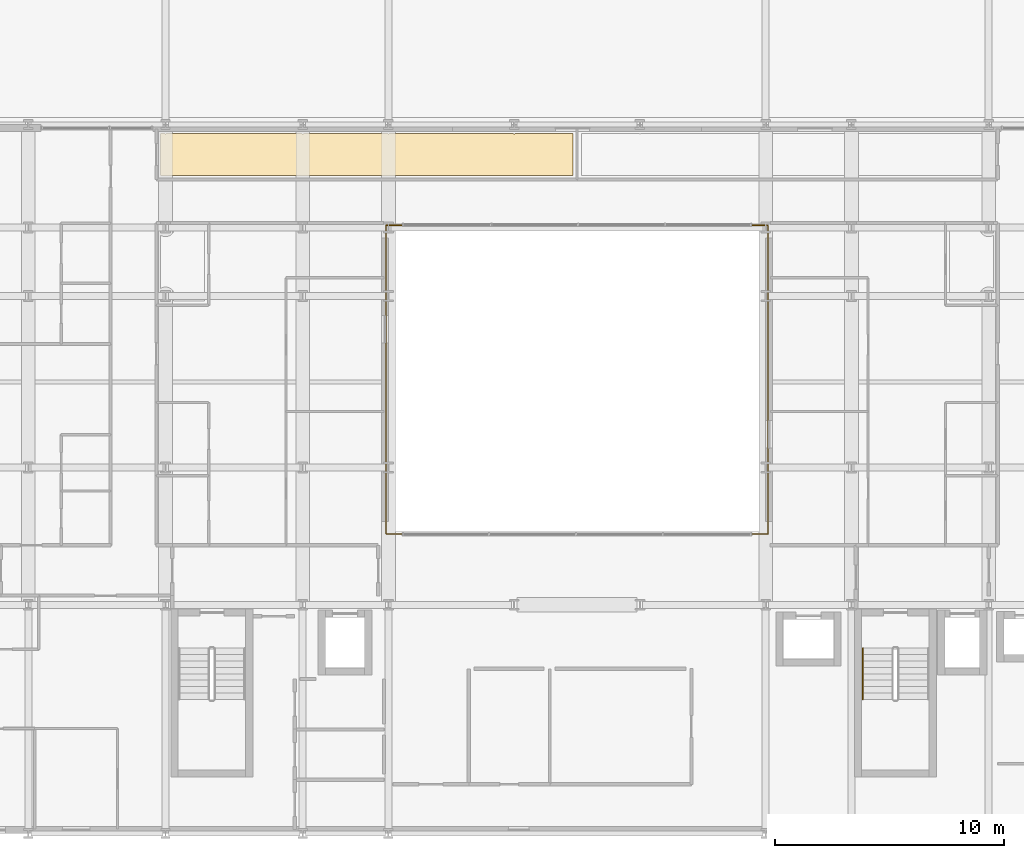
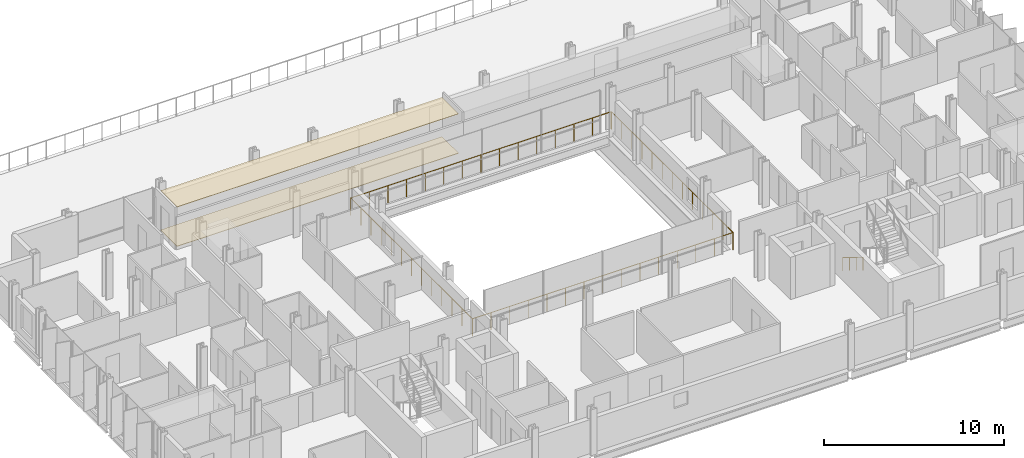
# One storey, part 36 of 38: 3 railings, 2 coverings.
"""IFC4 building model written with IfcOpenShell, lengths in metres."""

from ifc_helpers import new_model, si_unit, direction, frame, origin, origin_2d, place, context, subcontext, project, spatial, polyline, circle, outline, extrude, material, layer, layer_set, type_object, element, save


model = new_model("IFC4")

# Units and contexts
model_context = context("Model", 3, precision=1e-05, world=origin(), true_north=direction((0.0, 1.0)))
body_context = subcontext(model_context, "Body", "Model", "MODEL_VIEW")
ifc_project = project(units=[si_unit("LENGTHUNIT", "METRE"), si_unit("AREAUNIT", "SQUARE_METRE"), si_unit("VOLUMEUNIT", "CUBIC_METRE"), si_unit("PLANEANGLEUNIT", "RADIAN"), si_unit("MASSUNIT", "GRAM", prefix="KILO")], contexts=[model_context])

# Site, building, storey
site_placement = place(None, origin())
site = spatial("IfcSite", under=ifc_project, at=site_placement, CompositionType="ELEMENT")
building_placement = place(site_placement, origin())
building = spatial("IfcBuilding", under=site, at=building_placement, Name="Brevholm Reach", CompositionType="ELEMENT")
storey_placement = place(building_placement, frame((0.0, 0.0, 28.0)))
storey = spatial("IfcBuildingStorey", under=building, at=storey_placement, Name="L06", CompositionType="ELEMENT", Elevation=28.0)

# Coverings
ifc_material_1 = material(Name="Moisture-Resistant Skimmed Gypsum Plasterboard Ceiling", Category="gypsum")
ifc_layer_1 = layer(ifc_material_1, 0.030029296875)
ifc_layer_set_1 = layer_set([ifc_layer_1], Name="Moisture-Resistant Skimmed Gypsum Plasterboard Ceiling")
covering_type_1 = type_object("IfcCoveringType", Name="COV-CLG-GYP", PredefinedType="CEILING", material=ifc_layer_set_1)
covering_1_placement = place(storey_placement, frame((0.0, 0.0, 2.669921875)))
element("IfcCovering", 1, at=covering_1_placement, inside=storey, type_object=covering_type_1, Name="L06 Suspended Ceiling L06-71", PredefinedType="CEILING", context=body_context, shape_type="SweptSolid", body=[
    extrude(outline(polyline([(11.876220703125, 30.6201171875), (11.8837890625, 30.6171875), (11.922119140625, 30.607666015625), (11.960693359375, 30.601806640625), (12.0, 30.60009765625), (12.039306640625, 30.601806640625), (12.077880859375, 30.607666015625), (12.1162109375, 30.6171875), (12.123779296875, 30.6201171875), (17.876220703125, 30.6201171875), (17.8837890625, 30.6171875), (17.922119140625, 30.607666015625), (17.960693359375, 30.601806640625), (18.0, 30.60009765625), (18.039306640625, 30.601806640625), (18.077880859375, 30.607666015625), (18.1162109375, 30.6171875), (18.123779296875, 30.6201171875), (21.626220703125, 30.6201171875), (21.6337890625, 30.6171875), (21.672119140625, 30.607666015625), (21.710693359375, 30.601806640625), (21.75, 30.60009765625), (21.789306640625, 30.601806640625), (21.827880859375, 30.607666015625), (21.8662109375, 30.6171875), (21.873779296875, 30.6201171875), (27.126220703125, 30.6201171875), (27.1337890625, 30.6171875), (27.172119140625, 30.607666015625), (27.210693359375, 30.601806640625), (27.25, 30.60009765625), (27.289306640625, 30.601806640625), (27.327880859375, 30.607666015625), (27.3662109375, 30.6171875), (27.373779296875, 30.6201171875), (29.820068359375, 30.6201171875), (29.820068359375, 28.783935546875), (11.783935546875, 28.783935546875), (11.783935546875, 30.6201171875), (11.876220703125, 30.6201171875)])), origin(), (0.0, 0.0, 1.0), 0.030029296875),
])
ifc_material_2 = material(Name="Honed Portland-Aggregate Resin Terrazzo Flooring", Category="concrete")
ifc_layer_2 = layer(ifc_material_2, 0.031982421875)
ifc_layer_set_2 = layer_set([ifc_layer_2], Name="Honed Portland-Aggregate Resin Terrazzo Flooring")
covering_type_2 = type_object("IfcCoveringType", Name="COV-FLR-TRZ", PredefinedType="FLOORING", material=ifc_layer_set_2)
covering_2_placement = place(storey_placement, origin())
element("IfcCovering", 2, at=covering_2_placement, inside=storey, type_object=covering_type_2, Name="L06 Floor Finish L06-71", PredefinedType="FLOORING", context=body_context, shape_type="SweptSolid", body=[
    extrude(outline(polyline([(11.876220703125, 30.6201171875), (11.8837890625, 30.6171875), (11.922119140625, 30.607666015625), (11.960693359375, 30.601806640625), (12.0, 30.60009765625), (12.039306640625, 30.601806640625), (12.077880859375, 30.607666015625), (12.1162109375, 30.6171875), (12.123779296875, 30.6201171875), (17.876220703125, 30.6201171875), (17.8837890625, 30.6171875), (17.922119140625, 30.607666015625), (17.960693359375, 30.601806640625), (18.0, 30.60009765625), (18.039306640625, 30.601806640625), (18.077880859375, 30.607666015625), (18.1162109375, 30.6171875), (18.123779296875, 30.6201171875), (21.626220703125, 30.6201171875), (21.6337890625, 30.6171875), (21.672119140625, 30.607666015625), (21.710693359375, 30.601806640625), (21.75, 30.60009765625), (21.789306640625, 30.601806640625), (21.827880859375, 30.607666015625), (21.8662109375, 30.6171875), (21.873779296875, 30.6201171875), (27.126220703125, 30.6201171875), (27.1337890625, 30.6171875), (27.172119140625, 30.607666015625), (27.210693359375, 30.601806640625), (27.25, 30.60009765625), (27.289306640625, 30.601806640625), (27.327880859375, 30.607666015625), (27.3662109375, 30.6171875), (27.373779296875, 30.6201171875), (29.820068359375, 30.6201171875), (29.820068359375, 28.783935546875), (11.783935546875, 28.783935546875), (11.783935546875, 30.6201171875), (11.876220703125, 30.6201171875)])), origin(), (0.0, 0.0, 1.0), 0.031982421875),
])

# Railings
ifc_material_3 = material(Name="Brushed Stainless Steel EN 1.4401 Continuous Handrail", Category="steel")
railing_type_1 = type_object("IfcRailingType", Name="RAL-HND-950", PredefinedType="HANDRAIL", material=ifc_material_3)
railing_1_placement = place(storey_placement, frame((42.5, 8.10009765625, 0.172119140625)))
element("IfcRailing", 3, at=railing_1_placement, inside=storey, type_object=railing_type_1, Name="L06 ST-2 stair handrail 1", PredefinedType="HANDRAIL", context=body_context, shape_type="SweptSolid", body=[
    extrude(circle(Radius=0.02392578125, at=origin_2d()), frame((0.0, 0.0, 0.8857421875), z_axis=(0.0, -0.851747552033, 0.523952390591), x_axis=(1.0, 0.0, 0.0)), (0.0, 0.0, 1.0), 2.6298828125),
    extrude(circle(Radius=0.02099609375, at=origin_2d()), origin(), (0.0, 0.0, 1.0), 0.86181640625),
    extrude(circle(Radius=0.02099609375, at=origin_2d()), frame((0.0, -0.74658203125, 0.459228515625)), (0.0, 0.0, 1.0), 0.86181640625),
    extrude(circle(Radius=0.02099609375, at=origin_2d()), frame((0.0, -1.493408203125, 0.918701171875)), (0.0, 0.0, 1.0), 0.86181640625),
    extrude(circle(Radius=0.02099609375, at=origin_2d()), frame((0.0, -2.239990234375, 1.3779296875)), (0.0, 0.0, 1.0), 0.86181640625),
])
ifc_material_4 = material(Name="Brushed Stainless Steel EN 1.4401 and Laminated Glass", Category="steel")
railing_type_2 = type_object("IfcRailingType", Name="RAL-TERR-1200", PredefinedType="BALUSTRADE", material=ifc_material_4)
railing_2_placement = place(storey_placement, frame((21.64990234375, 13.10009765625, 0.0)))
element("IfcRailing", 4, at=railing_2_placement, inside=storey, type_object=railing_type_2, Name="L06 Guard Balustrade RAL-L06-AT-VOID-SW", PredefinedType="BALUSTRADE", context=body_context, shape_type="SweptSolid", body=[
    extrude(circle(Radius=0.02392578125, at=origin_2d()), frame((0.0, 0.0, 1.17578125), z_axis=(1.0, 0.0, 0.0), x_axis=(0.0, 1.0, 0.0)), (0.0, 0.0, 1.0), 16.7001953125),
    extrude(circle(Radius=0.02392578125, at=origin_2d()), frame((16.7001953125, 0.0, 1.17578125), z_axis=(0.0, 1.0, 0.0), x_axis=(-1.0, 0.0, 0.0)), (0.0, 0.0, 1.0), 13.47998046875),
    extrude(circle(Radius=0.02099609375, at=origin_2d()), origin(), (0.0, 0.0, 1.0), 1.15185546875),
    extrude(circle(Radius=0.02099609375, at=origin_2d()), frame((1.19287109375, 0.0, 0.0)), (0.0, 0.0, 1.0), 1.15185546875),
    extrude(circle(Radius=0.02099609375, at=origin_2d()), frame((2.3857421875, 0.0, 0.0)), (0.0, 0.0, 1.0), 1.15185546875),
    extrude(circle(Radius=0.02099609375, at=origin_2d()), frame((3.57861328125, 0.0, 0.0)), (0.0, 0.0, 1.0), 1.15185546875),
    extrude(circle(Radius=0.02099609375, at=origin_2d()), frame((4.771484375, 0.0, 0.0)), (0.0, 0.0, 1.0), 1.15185546875),
    extrude(circle(Radius=0.02099609375, at=origin_2d()), frame((5.96435546875, 0.0, 0.0)), (0.0, 0.0, 1.0), 1.15185546875),
    extrude(circle(Radius=0.02099609375, at=origin_2d()), frame((7.1572265625, 0.0, 0.0)), (0.0, 0.0, 1.0), 1.15185546875),
    extrude(circle(Radius=0.02099609375, at=origin_2d()), frame((8.35009765625, 0.0, 0.0)), (0.0, 0.0, 1.0), 1.15185546875),
    extrude(circle(Radius=0.02099609375, at=origin_2d()), frame((9.54296875, 0.0, 0.0)), (0.0, 0.0, 1.0), 1.15185546875),
    extrude(circle(Radius=0.02099609375, at=origin_2d()), frame((10.73583984375, 0.0, 0.0)), (0.0, 0.0, 1.0), 1.15185546875),
    extrude(circle(Radius=0.02099609375, at=origin_2d()), frame((11.9287109375, 0.0, 0.0)), (0.0, 0.0, 1.0), 1.15185546875),
    extrude(circle(Radius=0.02099609375, at=origin_2d()), frame((13.12158203125, 0.0, 0.0)), (0.0, 0.0, 1.0), 1.15185546875),
    extrude(circle(Radius=0.02099609375, at=origin_2d()), frame((14.314453125, 0.0, 0.0)), (0.0, 0.0, 1.0), 1.15185546875),
    extrude(circle(Radius=0.02099609375, at=origin_2d()), frame((15.50732421875, 0.0, 0.0)), (0.0, 0.0, 1.0), 1.15185546875),
    extrude(circle(Radius=0.02099609375, at=origin_2d()), frame((16.7001953125, 0.0, 0.0)), (0.0, 0.0, 1.0), 1.15185546875),
    extrude(circle(Radius=0.02099609375, at=origin_2d()), frame((16.7001953125, 1.123291015625, 0.0)), (0.0, 0.0, 1.0), 1.15185546875),
    extrude(circle(Radius=0.02099609375, at=origin_2d()), frame((16.7001953125, 2.24658203125, 0.0)), (0.0, 0.0, 1.0), 1.15185546875),
    extrude(circle(Radius=0.02099609375, at=origin_2d()), frame((16.7001953125, 3.3701171875, 0.0)), (0.0, 0.0, 1.0), 1.15185546875),
    extrude(circle(Radius=0.02099609375, at=origin_2d()), frame((16.7001953125, 4.493408203125, 0.0)), (0.0, 0.0, 1.0), 1.15185546875),
    extrude(circle(Radius=0.02099609375, at=origin_2d()), frame((16.7001953125, 5.61669921875, 0.0)), (0.0, 0.0, 1.0), 1.15185546875),
    extrude(circle(Radius=0.02099609375, at=origin_2d()), frame((16.7001953125, 6.739990234375, 0.0)), (0.0, 0.0, 1.0), 1.15185546875),
    extrude(circle(Radius=0.02099609375, at=origin_2d()), frame((16.7001953125, 7.86328125, 0.0)), (0.0, 0.0, 1.0), 1.15185546875),
    extrude(circle(Radius=0.02099609375, at=origin_2d()), frame((16.7001953125, 8.986572265625, 0.0)), (0.0, 0.0, 1.0), 1.15185546875),
    extrude(circle(Radius=0.02099609375, at=origin_2d()), frame((16.7001953125, 10.10986328125, 0.0)), (0.0, 0.0, 1.0), 1.15185546875),
    extrude(circle(Radius=0.02099609375, at=origin_2d()), frame((16.7001953125, 11.2333984375, 0.0)), (0.0, 0.0, 1.0), 1.15185546875),
    extrude(circle(Radius=0.02099609375, at=origin_2d()), frame((16.7001953125, 12.356689453125, 0.0)), (0.0, 0.0, 1.0), 1.15185546875),
    extrude(circle(Radius=0.02099609375, at=origin_2d()), frame((16.7001953125, 13.47998046875, 0.0)), (0.0, 0.0, 1.0), 1.15185546875),
])
railing_3_placement = place(storey_placement, frame((38.330078125, 26.60009765625, 0.0)))
element("IfcRailing", 5, at=railing_3_placement, inside=storey, type_object=railing_type_2, Name="L06 Guard Balustrade RAL-L06-AT-VOID-NE", PredefinedType="BALUSTRADE", context=body_context, shape_type="SweptSolid", body=[
    extrude(circle(Radius=0.02392578125, at=origin_2d()), frame((0.0, 0.0, 1.17578125), z_axis=(-1.0, 0.0, 0.0), x_axis=(0.0, -1.0, 0.0)), (0.0, 0.0, 1.0), 16.68017578125),
    extrude(circle(Radius=0.02392578125, at=origin_2d()), frame((-16.68017578125, 0.0, 1.17578125), z_axis=(0.0, -1.0, 0.0), x_axis=(1.0, 0.0, 0.0)), (0.0, 0.0, 1.0), 13.47998046875),
    extrude(circle(Radius=0.02099609375, at=origin_2d()), origin(), (0.0, 0.0, 1.0), 1.15185546875),
    extrude(circle(Radius=0.02099609375, at=origin_2d()), frame((-1.19140625, 0.0, 0.0)), (0.0, 0.0, 1.0), 1.15185546875),
    extrude(circle(Radius=0.02099609375, at=origin_2d()), frame((-2.3828125, 0.0, 0.0)), (0.0, 0.0, 1.0), 1.15185546875),
    extrude(circle(Radius=0.02099609375, at=origin_2d()), frame((-3.57421875, 0.0, 0.0)), (0.0, 0.0, 1.0), 1.15185546875),
    extrude(circle(Radius=0.02099609375, at=origin_2d()), frame((-4.765869140625, 0.0, 0.0)), (0.0, 0.0, 1.0), 1.15185546875),
    extrude(circle(Radius=0.02099609375, at=origin_2d()), frame((-5.957275390625, 0.0, 0.0)), (0.0, 0.0, 1.0), 1.15185546875),
    extrude(circle(Radius=0.02099609375, at=origin_2d()), frame((-7.148681640625, 0.0, 0.0)), (0.0, 0.0, 1.0), 1.15185546875),
    extrude(circle(Radius=0.02099609375, at=origin_2d()), frame((-8.340087890625, 0.0, 0.0)), (0.0, 0.0, 1.0), 1.15185546875),
    extrude(circle(Radius=0.02099609375, at=origin_2d()), frame((-9.531494140625, 0.0, 0.0)), (0.0, 0.0, 1.0), 1.15185546875),
    extrude(circle(Radius=0.02099609375, at=origin_2d()), frame((-10.722900390625, 0.0, 0.0)), (0.0, 0.0, 1.0), 1.15185546875),
    extrude(circle(Radius=0.02099609375, at=origin_2d()), frame((-11.914306640625, 0.0, 0.0)), (0.0, 0.0, 1.0), 1.15185546875),
    extrude(circle(Radius=0.02099609375, at=origin_2d()), frame((-13.10595703125, 0.0, 0.0)), (0.0, 0.0, 1.0), 1.15185546875),
    extrude(circle(Radius=0.02099609375, at=origin_2d()), frame((-14.29736328125, 0.0, 0.0)), (0.0, 0.0, 1.0), 1.15185546875),
    extrude(circle(Radius=0.02099609375, at=origin_2d()), frame((-15.48876953125, 0.0, 0.0)), (0.0, 0.0, 1.0), 1.15185546875),
    extrude(circle(Radius=0.02099609375, at=origin_2d()), frame((-16.68017578125, 0.0, 0.0)), (0.0, 0.0, 1.0), 1.15185546875),
    extrude(circle(Radius=0.02099609375, at=origin_2d()), frame((-16.68017578125, -1.123291015625, 0.0)), (0.0, 0.0, 1.0), 1.15185546875),
    extrude(circle(Radius=0.02099609375, at=origin_2d()), frame((-16.68017578125, -2.24658203125, 0.0)), (0.0, 0.0, 1.0), 1.15185546875),
    extrude(circle(Radius=0.02099609375, at=origin_2d()), frame((-16.68017578125, -3.3701171875, 0.0)), (0.0, 0.0, 1.0), 1.15185546875),
    extrude(circle(Radius=0.02099609375, at=origin_2d()), frame((-16.68017578125, -4.493408203125, 0.0)), (0.0, 0.0, 1.0), 1.15185546875),
    extrude(circle(Radius=0.02099609375, at=origin_2d()), frame((-16.68017578125, -5.61669921875, 0.0)), (0.0, 0.0, 1.0), 1.15185546875),
    extrude(circle(Radius=0.02099609375, at=origin_2d()), frame((-16.68017578125, -6.739990234375, 0.0)), (0.0, 0.0, 1.0), 1.15185546875),
    extrude(circle(Radius=0.02099609375, at=origin_2d()), frame((-16.68017578125, -7.86328125, 0.0)), (0.0, 0.0, 1.0), 1.15185546875),
    extrude(circle(Radius=0.02099609375, at=origin_2d()), frame((-16.68017578125, -8.986572265625, 0.0)), (0.0, 0.0, 1.0), 1.15185546875),
    extrude(circle(Radius=0.02099609375, at=origin_2d()), frame((-16.68017578125, -10.10986328125, 0.0)), (0.0, 0.0, 1.0), 1.15185546875),
    extrude(circle(Radius=0.02099609375, at=origin_2d()), frame((-16.68017578125, -11.2333984375, 0.0)), (0.0, 0.0, 1.0), 1.15185546875),
    extrude(circle(Radius=0.02099609375, at=origin_2d()), frame((-16.68017578125, -12.356689453125, 0.0)), (0.0, 0.0, 1.0), 1.15185546875),
    extrude(circle(Radius=0.02099609375, at=origin_2d()), frame((-16.68017578125, -13.47998046875, 0.0)), (0.0, 0.0, 1.0), 1.15185546875),
])

save(model, "model.ifc")
